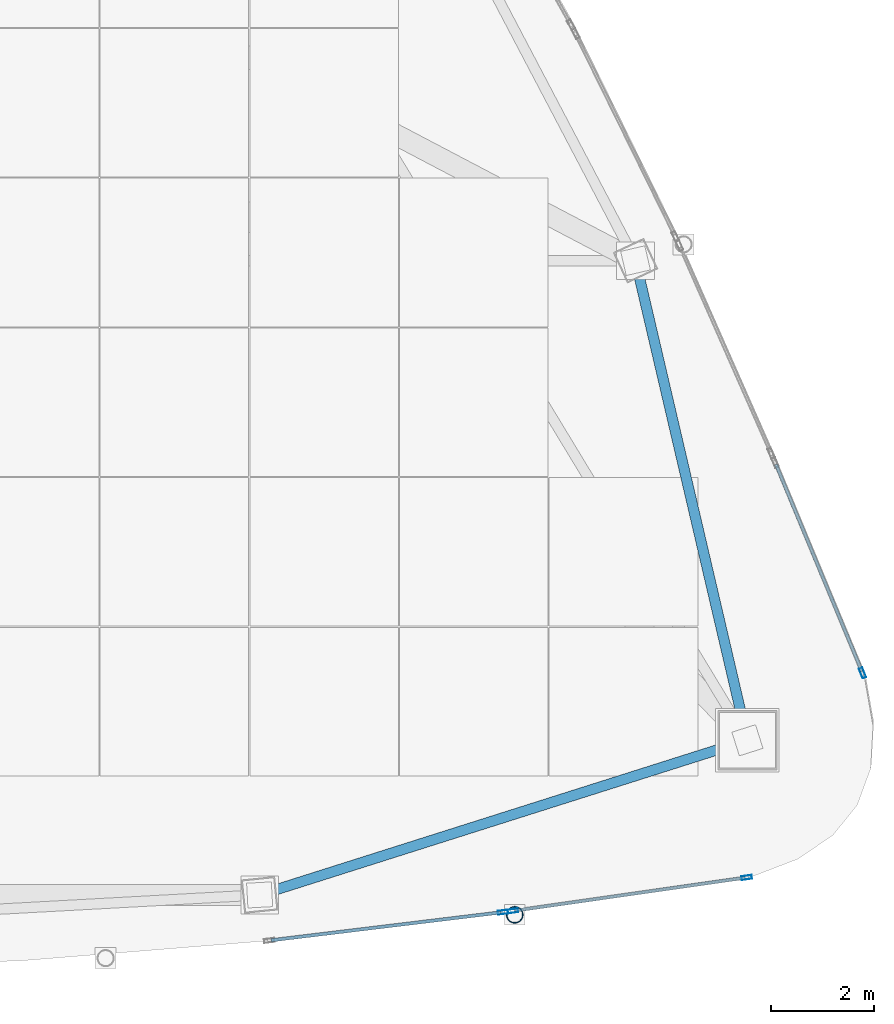
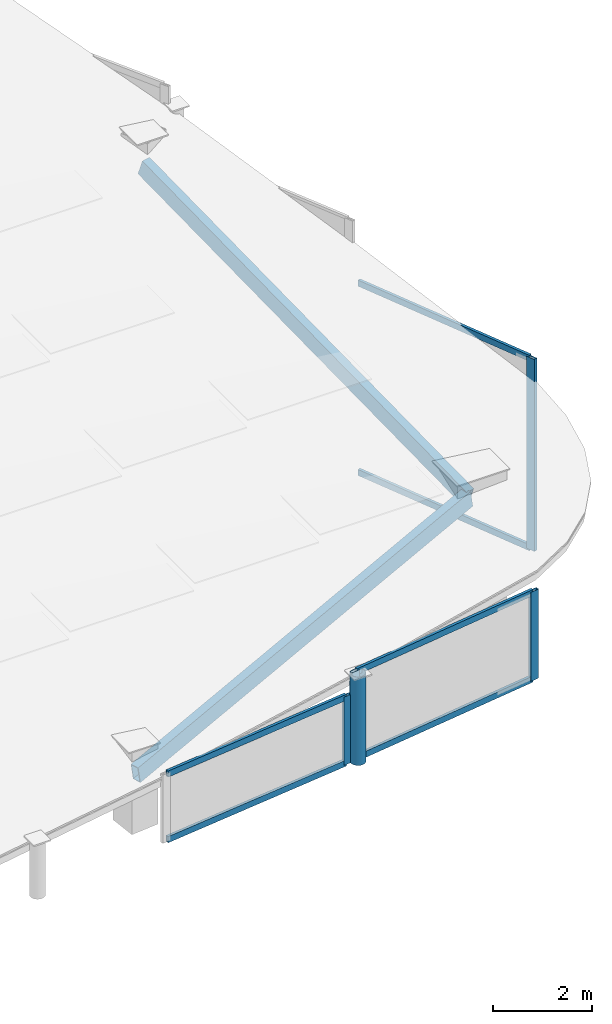
# One storey, part 11 of 21: 13 members, 3 elements without a shape of their own.
"""IFC4 building model written with IfcOpenShell, lengths in metres."""

from ifc_helpers import new_model, si_unit, direction, frame, origin, origin_2d, place, context, subcontext, project, spatial, hollow_rectangle, hollow_circle, extrude, material, layer, layer_set, material_profile, profile_set, type_object, element, aggregate, save


model = new_model("IFC4")

# Units and contexts
model_context = context("Model", 3, precision=1e-05, world=origin(), true_north=direction((0.0, 1.0)))
body_context = subcontext(model_context, "Body", "Model", "MODEL_VIEW")
ifc_project = project(units=[si_unit("LENGTHUNIT", "METRE"), si_unit("AREAUNIT", "SQUARE_METRE"), si_unit("VOLUMEUNIT", "CUBIC_METRE"), si_unit("PLANEANGLEUNIT", "RADIAN"), si_unit("MASSUNIT", "GRAM", prefix="KILO")], contexts=[model_context])

# Site, building, storey
site_placement = place(None, origin())
site = spatial("IfcSite", under=ifc_project, at=site_placement, CompositionType="ELEMENT")
building_placement = place(site_placement, origin())
building = spatial("IfcBuilding", under=site, at=building_placement, Name="Orvanel Arch Residences", CompositionType="ELEMENT")
storey_placement = place(building_placement, frame((0.0, 0.0, 314.89990234375)))
storey = spatial("IfcBuildingStorey", under=building, at=storey_placement, Name="RF", CompositionType="ELEMENT", Elevation=314.89990234375)

# Curtain wall, member
ifc_material_1 = material(Name="Bronze-anodised aluminium AA6063-T6", Category="aluminium")
ifc_layer = layer(ifc_material_1, 0.2099609375)
ifc_layer_set = layer_set([ifc_layer], Name="Bronze-anodised aluminium AA6063-T6")
curtain_wall_type = type_object("IfcCurtainWallType", Name="CW7-TOP-SYS", PredefinedType="NOTDEFINED", material=ifc_layer_set)
curtain_wall_1_placement = place(storey_placement, origin())
curtain_wall_1 = element("IfcCurtainWall", 1, at=curtain_wall_1_placement, inside=storey, type_object=curtain_wall_type, Name="RF CW7-TOP-SYS Unitised Curtain Wall", PredefinedType="NOTDEFINED")
ifc_material_profile_1 = material_profile(ifc_material_1, hollow_rectangle(XDim=0.074951171875, YDim=0.199951171875, WallThickness=0.0048828125, at=origin_2d()), Name="ALU200x75x5")
ifc_profile_set_1 = profile_set([ifc_material_profile_1], Name="Bronze-anodised aluminium AA6063-T6")
member_type_1 = type_object("IfcMemberType", Name="MUL-200x75", PredefinedType="MULLION", material=ifc_profile_set_1)
member_1_placement = place(storey_placement, frame((47.064697265625, 7.0205078125, 0.0), z_axis=(0.0, 0.0, 1.0), x_axis=(-0.12039580331, 0.992725969513, 0.0)))
member_1 = element("IfcMember", 2, at=member_1_placement, type_object=member_type_1, Name="CW-S7 mullion 2", PredefinedType="MULLION", context=body_context, shape_type="SweptSolid", body=[
    extrude(hollow_rectangle(XDim=0.074951171875, YDim=0.199951171875, WallThickness=0.0048828125, at=origin_2d()), origin(), (0.0, 0.0, 1.0), 1.675048828125),
])

# Curtain wall, members
curtain_wall_2_placement = place(storey_placement, origin())
curtain_wall_2 = element("IfcCurtainWall", 3, at=curtain_wall_2_placement, inside=storey, type_object=curtain_wall_type, Name="RF CW7-TOP-SYS Unitised Curtain Wall", PredefinedType="NOTDEFINED")
member_2_placement = place(storey_placement, frame((47.258056640625, 7.04541015625, 0.0), z_axis=(0.0, 0.0, 1.0), x_axis=(-0.14151168225, 0.98993658574, 0.0)))
member_2 = element("IfcMember", 4, at=member_2_placement, type_object=member_type_1, Name="CW-S7 mullion 1", PredefinedType="MULLION", context=body_context, shape_type="SweptSolid", body=[
    extrude(hollow_rectangle(XDim=0.074951171875, YDim=0.199951171875, WallThickness=0.0048828125, at=origin_2d()), origin(), (0.0, 0.0, 1.0), 2.18603515625),
])
member_3_placement = place(storey_placement, frame((51.786865234375, 7.692626953125, 0.0), z_axis=(0.0, 0.0, 1.0), x_axis=(-0.14151168225, 0.98993658574, 0.0)))
member_3 = element("IfcMember", 5, at=member_3_placement, type_object=member_type_1, Name="CW-S7 mullion 2", PredefinedType="MULLION", context=body_context, shape_type="SweptSolid", body=[
    extrude(hollow_rectangle(XDim=0.074951171875, YDim=0.199951171875, WallThickness=0.0048828125, at=origin_2d()), origin(), (0.0, 0.0, 1.0), 2.18603515625),
])

# Curtain wall, member
curtain_wall_3_placement = place(storey_placement, origin())
curtain_wall_3 = element("IfcCurtainWall", 6, at=curtain_wall_3_placement, inside=storey, type_object=curtain_wall_type, Name="RF CW7-TOP-SYS Unitised Curtain Wall", PredefinedType="NOTDEFINED")
member_4_placement = place(storey_placement, frame((54.030517578125, 11.654541015625, 0.0), z_axis=(0.0, 0.0, 1.0), x_axis=(-0.923636318254, -0.38327007658, 0.0)))
member_4 = element("IfcMember", 7, at=member_4_placement, type_object=member_type_1, Name="CW-S7 mullion 1", PredefinedType="MULLION", context=body_context, shape_type="SweptSolid", body=[
    extrude(hollow_rectangle(XDim=0.074951171875, YDim=0.199951171875, WallThickness=0.0048828125, at=origin_2d()), origin(), (0.0, 0.0, 1.0), 4.713134765625),
])

# Members
ifc_material_2 = material(Name="Structural steel AS/NZS 1163 C350L0 (Grade 350)", Category="steel")
ifc_material_profile_2 = material_profile(ifc_material_2, hollow_rectangle(XDim=0.199951171875, YDim=0.39990234375, WallThickness=0.012451171875, at=origin_2d()), Name="RHS400x200x12.5")
ifc_profile_set_2 = profile_set([ifc_material_profile_2], Name="Structural steel AS/NZS 1163 C350L0 (Grade 350)")
member_type_2 = type_object("IfcMemberType", Name="RF-400RHS-EXT", PredefinedType="RAFTER", material=ifc_profile_set_2)
member_5_placement = place(storey_placement, frame((42.35107421875, 7.35498046875, 1.190185546875), z_axis=(0.940134466735, 0.298068312599, 0.165234577136), x_axis=(-0.302222574941, 0.953237386592, 0.0)))
element("IfcMember", 8, at=member_5_placement, inside=storey, type_object=member_type_2, Name="RF Slanted Crown Outer Rim Rafter 06", PredefinedType="RAFTER", context=body_context, shape_type="SweptSolid", body=[
    extrude(hollow_rectangle(XDim=0.199951171875, YDim=0.39990234375, WallThickness=0.012451171875, at=origin_2d()), origin(), (0.0, 0.0, 1.0), 10.0517578125),
])
member_6_placement = place(storey_placement, frame((51.801025390625, 10.35107421875, 2.85107421875), z_axis=(-0.215022633915, 0.92149790048, 0.323429878514), x_axis=(-0.973839699688, -0.227236087167, 0.0)))
element("IfcMember", 9, at=member_6_placement, inside=storey, type_object=member_type_2, Name="RF Slanted Crown Outer Rim Rafter 07", PredefinedType="RAFTER", context=body_context, shape_type="SweptSolid", body=[
    extrude(hollow_rectangle(XDim=0.199951171875, YDim=0.39990234375, WallThickness=0.012451171875, at=origin_2d()), origin(), (0.0, 0.0, 1.0), 10.08251953125),
])
ifc_material_profile_3 = material_profile(ifc_material_2, hollow_circle(Radius=0.162109375, WallThickness=0.0126953125, at=origin_2d()), Name="CHS324x12.7")
ifc_profile_set_3 = profile_set([ifc_material_profile_3], Name="Structural steel AS/NZS 1163 C350L0 (Grade 350)")
member_type_3 = type_object("IfcMemberType", Name="ST-324CHS-EXT", PredefinedType="STRUT", material=ifc_profile_set_3)
member_7_placement = place(storey_placement, frame((47.29296875, 6.969970703125, 0.0), z_axis=(0.0, 0.0, 1.0), x_axis=(1.0, 0.0, 0.0)))
element("IfcMember", 10, at=member_7_placement, inside=storey, type_object=member_type_3, Name="RF Crown Outer Perimeter Frame Post 08", PredefinedType="STRUT", context=body_context, shape_type="SweptSolid", body=[
    extrude(hollow_circle(Radius=0.162109375, WallThickness=0.0126953125, at=origin_2d()), origin(), (0.0, 0.0, 1.0), 2.166015625),
])

# Member
ifc_material_profile_4 = material_profile(ifc_material_1, hollow_rectangle(XDim=0.06494140625, YDim=0.14990234375, WallThickness=0.00390625, at=origin_2d()), Name="ALU150x65x4")
ifc_profile_set_4 = profile_set([ifc_material_profile_4], Name="Bronze-anodised aluminium AA6063-T6")
member_type_4 = type_object("IfcMemberType", Name="TRN-150x65", PredefinedType="USERDEFINED", material=ifc_profile_set_4)
member_8_placement = place(storey_placement, frame((42.575439453125, 6.47607421875, 0.03271484375), z_axis=(0.992730037406, 0.120362256674, 0.0), x_axis=(-0.120362256674, 0.992730037406, 0.0)))
member_8 = element("IfcMember", 11, at=member_8_placement, type_object=member_type_4, Name="CW-S7 transom 1.1", ObjectType="TRANSOM", PredefinedType="USERDEFINED", context=body_context, shape_type="SweptSolid", body=[
    extrude(hollow_rectangle(XDim=0.06494140625, YDim=0.14990234375, WallThickness=0.00390625, at=origin_2d()), origin(), (0.0, 0.0, 1.0), 4.48486328125),
])

member_9_placement = place(storey_placement, frame((42.575439453125, 6.47607421875, 1.642578125), z_axis=(0.992730037406, 0.120362256674, 0.0), x_axis=(-0.120362256674, 0.992730037406, 0.0)))
member_9 = element("IfcMember", 12, at=member_9_placement, type_object=member_type_4, Name="CW-S7 transom 1.2", ObjectType="TRANSOM", PredefinedType="USERDEFINED", context=body_context, shape_type="SweptSolid", body=[
    extrude(hollow_rectangle(XDim=0.06494140625, YDim=0.14990234375, WallThickness=0.00390625, at=origin_2d()), origin(), (0.0, 0.0, 1.0), 4.48486328125),
])

aggregate(curtain_wall_1, [member_1, member_8, member_9])

member_10_placement = place(storey_placement, frame((47.295166015625, 7.050537109375, 0.03271484375), z_axis=(0.989931038646, 0.141550481192, 0.0), x_axis=(-0.141550481192, 0.989931038646, 0.0)))
member_10 = element("IfcMember", 13, at=member_10_placement, type_object=member_type_4, Name="CW-S7 transom 1.1", ObjectType="TRANSOM", PredefinedType="USERDEFINED", context=body_context, shape_type="SweptSolid", body=[
    extrude(hollow_rectangle(XDim=0.06494140625, YDim=0.14990234375, WallThickness=0.00390625, at=origin_2d()), origin(), (0.0, 0.0, 1.0), 4.5),
])

member_11_placement = place(storey_placement, frame((47.295166015625, 7.050537109375, 2.153564453125), z_axis=(0.989931038646, 0.141550481192, 0.0), x_axis=(-0.141550481192, 0.989931038646, 0.0)))
member_11 = element("IfcMember", 14, at=member_11_placement, type_object=member_type_4, Name="CW-S7 transom 1.2", ObjectType="TRANSOM", PredefinedType="USERDEFINED", context=body_context, shape_type="SweptSolid", body=[
    extrude(hollow_rectangle(XDim=0.06494140625, YDim=0.14990234375, WallThickness=0.00390625, at=origin_2d()), origin(), (0.0, 0.0, 1.0), 4.5),
])

aggregate(curtain_wall_2, [member_2, member_3, member_10, member_11])

member_12_placement = place(storey_placement, frame((54.016357421875, 11.689208984375, 0.03271484375), z_axis=(-0.383276215855, 0.92363377069, 0.0), x_axis=(-0.92363377069, -0.383276215855, 0.0)))
member_12 = element("IfcMember", 15, at=member_12_placement, type_object=member_type_4, Name="CW-S7 transom 1.1", ObjectType="TRANSOM", PredefinedType="USERDEFINED", context=body_context, shape_type="SweptSolid", body=[
    extrude(hollow_rectangle(XDim=0.06494140625, YDim=0.14990234375, WallThickness=0.00390625, at=origin_2d()), origin(), (0.0, 0.0, 1.0), 4.337890625),
])

member_13_placement = place(storey_placement, frame((54.016357421875, 11.689208984375, 4.6806640625), z_axis=(-0.383276215855, 0.92363377069, 0.0), x_axis=(-0.92363377069, -0.383276215855, 0.0)))
member_13 = element("IfcMember", 16, at=member_13_placement, type_object=member_type_4, Name="CW-S7 transom 1.2", ObjectType="TRANSOM", PredefinedType="USERDEFINED", context=body_context, shape_type="SweptSolid", body=[
    extrude(hollow_rectangle(XDim=0.06494140625, YDim=0.14990234375, WallThickness=0.00390625, at=origin_2d()), origin(), (0.0, 0.0, 1.0), 4.337890625),
])

aggregate(curtain_wall_3, [member_4, member_12, member_13])

save(model, "model.ifc")
